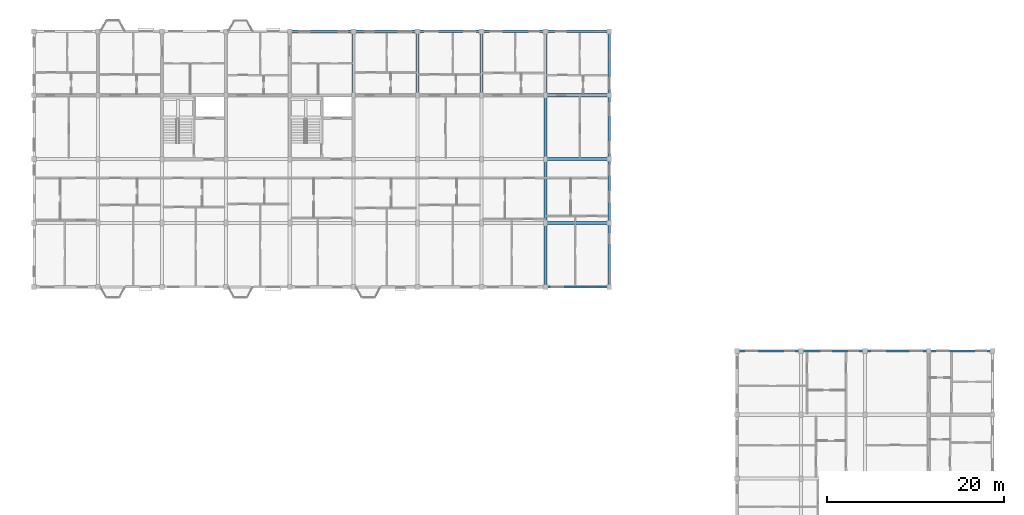
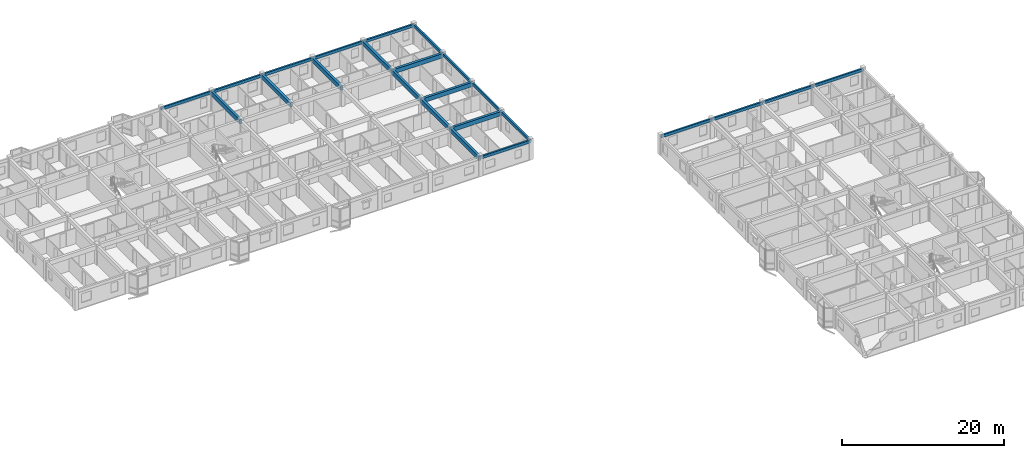
# One storey, part 45 of 77: 24 beams.
"""IFC4 building model written with IfcOpenShell, lengths in metres."""

from ifc_helpers import new_model, si_unit, direction, frame, origin, origin_2d, place, context, subcontext, project, spatial, rectangle, extrude, material, material_profile, profile_set, type_object, element, save


model = new_model("IFC4")

# Units and contexts
model_context = context("Model", 3, precision=1e-05, world=origin(), true_north=direction((0.0, 1.0)))
body_context = subcontext(model_context, "Body", "Model", "MODEL_VIEW")
ifc_project = project(units=[si_unit("LENGTHUNIT", "METRE"), si_unit("AREAUNIT", "SQUARE_METRE"), si_unit("VOLUMEUNIT", "CUBIC_METRE"), si_unit("PLANEANGLEUNIT", "RADIAN"), si_unit("MASSUNIT", "GRAM", prefix="KILO"), si_unit("THERMODYNAMICTEMPERATUREUNIT", "KELVIN"), si_unit("POWERUNIT", "WATT")], contexts=[model_context])

# Site, building, storey
site_placement = place(None, origin())
site = spatial("IfcSite", under=ifc_project, at=site_placement, CompositionType="ELEMENT")
building_placement = place(site_placement, origin())
building = spatial("IfcBuilding", under=site, at=building_placement, Name="Tavuni Mirador Residences", CompositionType="ELEMENT")
storey_placement = place(building_placement, frame((0.0, 0.0, 10.800048828125)))
storey = spatial("IfcBuildingStorey", under=building, at=storey_placement, Name="L03", CompositionType="ELEMENT", Elevation=10.800048828125)

# Beams
ifc_material = material(Name="Precast concrete C40/50", Category="concrete")
ifc_material_profile_1 = material_profile(ifc_material, rectangle(XDim=0.35009765625, YDim=0.64990234375, at=origin_2d()), Name="PC 350x650", Category="concrete")
ifc_profile_set_1 = profile_set([ifc_material_profile_1], Name="Precast concrete C40/50")
beam_type_1 = type_object("IfcBeamType", Name="BT-B650", PredefinedType="BEAM", material=ifc_profile_set_1)
for number, where, z_axis, x_axis, name in (
    (1, (68.39990234375, 151.199951171875, 2.56005859375), (1.0, 0.0, 0.0), (0.0, 1.0, 0.0), "BMX-BLK-C-L03-08-01"),
    (2, (68.39990234375, 158.39990234375, 2.56005859375), (1.0, 0.0, 0.0), (0.0, 1.0, 0.0), "BMX-BLK-C-L03-08-02"),
    (3, (68.39990234375, 165.60009765625, 2.56005859375), (1.0, 0.0, 0.0), (0.0, 1.0, 0.0), "BMX-BLK-C-L03-08-03"),
):
    element("IfcBeam", number, at=place(storey_placement, frame(where, z_axis=z_axis, x_axis=x_axis)), inside=storey, type_object=beam_type_1, Name=name, PredefinedType="BEAM", context=body_context, shape_type="SweptSolid", body=[
        extrude(rectangle(XDim=0.35009765625, YDim=0.64990234375, at=origin_2d()), origin(), (0.0, 0.0, 1.0), 7.2001953125),
    ])
for number, where, z_axis, x_axis, name in (
    (4, (46.800048828125, 165.60009765625, 2.56005859375), (0.0, 1.0, 0.0), (-1.0, 0.0, 0.0), "BMY-BLK-C-L03-05-03"),
    (5, (54.0, 165.60009765625, 2.56005859375), (0.0, 1.0, 0.0), (-1.0, 0.0, 0.0), "BMY-BLK-C-L03-06-03"),
    (6, (61.199951171875, 165.60009765625, 2.56005859375), (0.0, 1.0, 0.0), (-1.0, 0.0, 0.0), "BMY-BLK-C-L03-07-03"),
    (7, (68.39990234375, 144.0, 2.56005859375), (0.0, 1.0, 0.0), (-1.0, 0.0, 0.0), "BMY-BLK-C-L03-08-00"),
    (8, (68.39990234375, 151.199951171875, 2.56005859375), (0.0, 1.0, 0.0), (-1.0, 0.0, 0.0), "BMY-BLK-C-L03-08-01"),
):
    element("IfcBeam", number, at=place(storey_placement, frame(where, z_axis=z_axis, x_axis=x_axis)), inside=storey, type_object=beam_type_1, Name=name, PredefinedType="BEAM", context=body_context, shape_type="SweptSolid", body=[
        extrude(rectangle(XDim=0.35009765625, YDim=0.64990234375, at=origin_2d()), origin(), (0.0, 0.0, 1.0), 7.199951171875),
    ])
beam_1_placement = place(storey_placement, frame((68.39990234375, 158.39990234375, 2.56005859375), z_axis=(0.0, 1.0, 0.0), x_axis=(-1.0, 0.0, 0.0)))
element("IfcBeam", 9, at=beam_1_placement, inside=storey, type_object=beam_type_1, Name="BMY-BLK-C-L03-08-02", PredefinedType="BEAM", context=body_context, shape_type="SweptSolid", body=[
    extrude(rectangle(XDim=0.35009765625, YDim=0.64990234375, at=origin_2d()), origin(), (0.0, 0.0, 1.0), 7.2001953125),
])
beam_2_placement = place(storey_placement, frame((68.39990234375, 165.60009765625, 2.56005859375), z_axis=(0.0, 1.0, 0.0), x_axis=(-1.0, 0.0, 0.0)))
element("IfcBeam", 10, at=beam_2_placement, inside=storey, type_object=beam_type_1, Name="BMY-BLK-C-L03-08-03", PredefinedType="BEAM", context=body_context, shape_type="SweptSolid", body=[
    extrude(rectangle(XDim=0.35009765625, YDim=0.64990234375, at=origin_2d()), origin(), (0.0, 0.0, 1.0), 7.199951171875),
])
ifc_material_profile_2 = material_profile(ifc_material, rectangle(XDim=0.25, YDim=0.419921875, at=origin_2d()), Name="PC 250x420", Category="concrete")
ifc_profile_set_2 = profile_set([ifc_material_profile_2], Name="Precast concrete C40/50")
beam_type_2 = type_object("IfcBeamType", Name="BT-SP420", PredefinedType="SPANDREL", material=ifc_profile_set_2)
beam_3_placement = place(storey_placement, frame((68.39990234375, 144.0, 2.675048828125), z_axis=(1.0, 0.0, 0.0), x_axis=(0.0, 1.0, 0.0)))
element("IfcBeam", 11, at=beam_3_placement, inside=storey, type_object=beam_type_2, Name="BMX-BLK-C-L03-08-00", PredefinedType="SPANDREL", context=body_context, shape_type="SweptSolid", body=[
    extrude(rectangle(XDim=0.25, YDim=0.419921875, at=origin_2d()), origin(), (0.0, 0.0, 1.0), 7.2001953125),
])
for number, where, z_axis, x_axis, name in (
    (12, (39.60009765625, 172.800048828125, 2.675048828125), (1.0, 0.0, 0.0), (0.0, 1.0, 0.0), "BMX-BLK-C-L03-04-04"),
    (13, (46.800048828125, 172.800048828125, 2.675048828125), (1.0, 0.0, 0.0), (0.0, 1.0, 0.0), "BMX-BLK-C-L03-05-04"),
    (14, (54.0, 172.800048828125, 2.675048828125), (1.0, 0.0, 0.0), (0.0, 1.0, 0.0), "BMX-BLK-C-L03-06-04"),
    (15, (61.199951171875, 172.800048828125, 2.675048828125), (1.0, 0.0, 0.0), (0.0, 1.0, 0.0), "BMX-BLK-C-L03-07-04"),
):
    element("IfcBeam", number, at=place(storey_placement, frame(where, z_axis=z_axis, x_axis=x_axis)), inside=storey, type_object=beam_type_2, Name=name, PredefinedType="SPANDREL", context=body_context, shape_type="SweptSolid", body=[
        extrude(rectangle(XDim=0.25, YDim=0.419921875, at=origin_2d()), origin(), (0.0, 0.0, 1.0), 7.199951171875),
    ])
beam_4_placement = place(storey_placement, frame((68.39990234375, 172.800048828125, 2.675048828125), z_axis=(1.0, 0.0, 0.0), x_axis=(0.0, 1.0, 0.0)))
element("IfcBeam", 16, at=beam_4_placement, inside=storey, type_object=beam_type_2, Name="BMX-BLK-C-L03-08-04", PredefinedType="SPANDREL", context=body_context, shape_type="SweptSolid", body=[
    extrude(rectangle(XDim=0.25, YDim=0.419921875, at=origin_2d()), origin(), (0.0, 0.0, 1.0), 7.2001953125),
])
for number, where, z_axis, x_axis, name in (
    (17, (75.60009765625, 144.0, 2.675048828125), (0.0, 1.0, 0.0), (-1.0, 0.0, 0.0), "BMY-BLK-C-L03-09-00"),
    (18, (75.60009765625, 151.199951171875, 2.675048828125), (0.0, 1.0, 0.0), (-1.0, 0.0, 0.0), "BMY-BLK-C-L03-09-01"),
):
    element("IfcBeam", number, at=place(storey_placement, frame(where, z_axis=z_axis, x_axis=x_axis)), inside=storey, type_object=beam_type_2, Name=name, PredefinedType="SPANDREL", context=body_context, shape_type="SweptSolid", body=[
        extrude(rectangle(XDim=0.25, YDim=0.419921875, at=origin_2d()), origin(), (0.0, 0.0, 1.0), 7.199951171875),
    ])
beam_5_placement = place(storey_placement, frame((75.60009765625, 158.39990234375, 2.675048828125), z_axis=(0.0, 1.0, 0.0), x_axis=(-1.0, 0.0, 0.0)))
element("IfcBeam", 19, at=beam_5_placement, inside=storey, type_object=beam_type_2, Name="BMY-BLK-C-L03-09-02", PredefinedType="SPANDREL", context=body_context, shape_type="SweptSolid", body=[
    extrude(rectangle(XDim=0.25, YDim=0.419921875, at=origin_2d()), origin(), (0.0, 0.0, 1.0), 7.2001953125),
])
for number, where, z_axis, x_axis, name in (
    (20, (75.60009765625, 165.60009765625, 2.675048828125), (0.0, 1.0, 0.0), (-1.0, 0.0, 0.0), "BMY-BLK-C-L03-09-03"),
    (21, (90.0, 136.800048828125, 2.679931640625), (1.0, 0.0, 0.0), (0.0, 1.0, 0.0), "BMX-BLK-D-L03-00-07"),
    (22, (97.199951171875, 136.800048828125, 2.679931640625), (1.0, 0.0, 0.0), (0.0, 1.0, 0.0), "BMX-BLK-D-L03-01-07"),
):
    element("IfcBeam", number, at=place(storey_placement, frame(where, z_axis=z_axis, x_axis=x_axis)), inside=storey, type_object=beam_type_2, Name=name, PredefinedType="SPANDREL", context=body_context, shape_type="SweptSolid", body=[
        extrude(rectangle(XDim=0.25, YDim=0.419921875, at=origin_2d()), origin(), (0.0, 0.0, 1.0), 7.199951171875),
    ])
beam_6_placement = place(storey_placement, frame((104.39990234375, 136.800048828125, 2.679931640625), z_axis=(1.0, 0.0, 0.0), x_axis=(0.0, 1.0, 0.0)))
element("IfcBeam", 23, at=beam_6_placement, inside=storey, type_object=beam_type_2, Name="BMX-BLK-D-L03-02-07", PredefinedType="SPANDREL", context=body_context, shape_type="SweptSolid", body=[
    extrude(rectangle(XDim=0.25, YDim=0.419921875, at=origin_2d()), origin(), (0.0, 0.0, 1.0), 7.2001953125),
])
beam_7_placement = place(storey_placement, frame((111.60009765625, 136.800048828125, 2.679931640625), z_axis=(1.0, 0.0, 0.0), x_axis=(0.0, 1.0, 0.0)))
element("IfcBeam", 24, at=beam_7_placement, inside=storey, type_object=beam_type_2, Name="BMX-BLK-D-L03-03-07", PredefinedType="SPANDREL", context=body_context, shape_type="SweptSolid", body=[
    extrude(rectangle(XDim=0.25, YDim=0.419921875, at=origin_2d()), origin(), (0.0, 0.0, 1.0), 7.199951171875),
])

save(model, "model.ifc")
